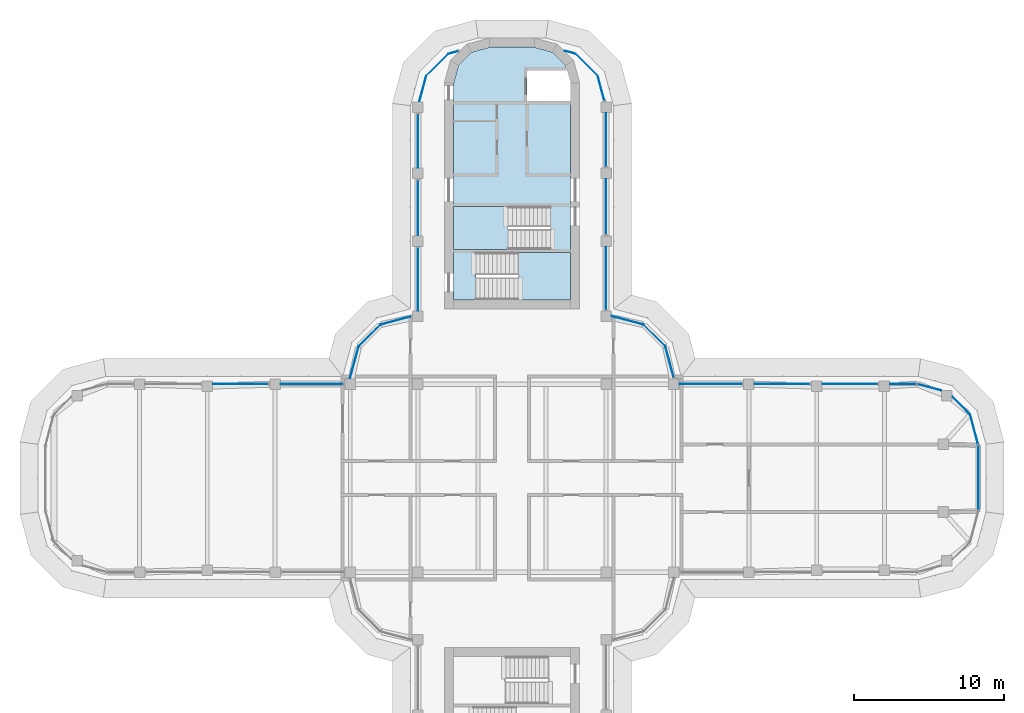
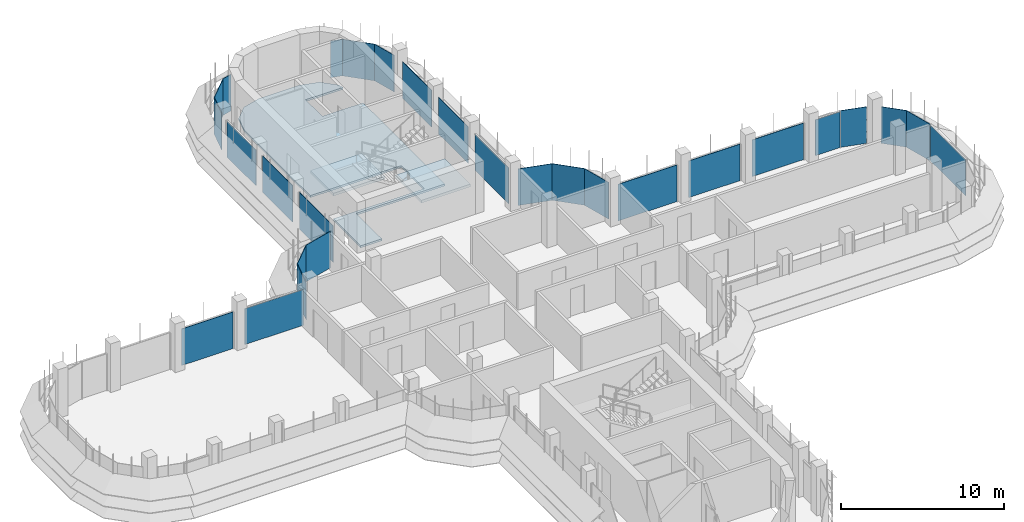
# One storey, part 12 of 19: 28 plates, 3 slabs, 22 elements without a shape of their own.
"""IFC4 building model written with IfcOpenShell, lengths in metres."""

import ifcopenshell
import ifcopenshell.guid

model = None  # the IFC model being written
_history = None  # IfcOwnerHistory: only IFC2X3 demands one
_inside = {}  # id of a spatial element -> (the spatial element, [elements in it])
_under = {}  # id of a project, library or spatial element -> (it, [spatial elements below it])
_declared = {}  # id of a project -> (the project, [libraries it declares])
_typed = {}  # id of a type object -> (the type object, [elements of that type])
_made_of = {}  # id of a material, layer set ... -> (it, [elements and type objects made of it])


def new_model(schema):
    """Start an empty IFC model of exactly this schema.

    Asked for "IFC4X3", IfcOpenShell would pick the latest addendum, in which some entities
    have other attributes; the version numbers below select the first issue.
    IFC2X3 requires an IfcOwnerHistory on every rooted entity: one is made here for all.
    """
    global model, _history
    if schema == "IFC4X3":
        model = ifcopenshell.file(schema_version=(4, 3, 0, 0))
    else:
        model = ifcopenshell.file(schema=schema)
    _inside.clear()
    _under.clear()
    _declared.clear()
    _typed.clear()
    _made_of.clear()
    _history = None
    if model.schema == "IFC2X3":
        org = make("IfcOrganization", Name="unknown")
        user = make(
            "IfcPersonAndOrganization",
            ThePerson=make("IfcPerson", FamilyName="unknown"),
            TheOrganization=org,
        )
        app = make(
            "IfcApplication",
            ApplicationDeveloper=org,
            Version="unknown",
            ApplicationFullName="unknown",
            ApplicationIdentifier="unknown",
        )
        _history = make(
            "IfcOwnerHistory",
            OwningUser=user,
            OwningApplication=app,
            ChangeAction="ADDED",
            CreationDate=0,
        )
    return model


def make(cls, **values):
    """One entity of the class cls with the attributes given. An attribute that is None is left unset."""
    return model.create_entity(
        cls, **{name: value for name, value in values.items() if value is not None}
    )


def rooted(cls, **values):
    """An entity with a GlobalId (a new one), such as an element, a storey or a relation."""
    return make(cls, GlobalId=ifcopenshell.guid.new(), OwnerHistory=_history, **values)


def si_unit(unit_type, name, prefix=None):
    """IfcSIUnit, for example si_unit("LENGTHUNIT", "METRE", prefix="MILLI")."""
    return make("IfcSIUnit", UnitType=unit_type, Prefix=prefix, Name=name)


def assignment(units):
    """IfcUnitAssignment: the units of a project."""
    return None if units is None else make("IfcUnitAssignment", Units=units)


def point(xyz):
    """IfcCartesianPoint."""
    return None if xyz is None else make("IfcCartesianPoint", Coordinates=xyz)


def direction(xyz):
    """IfcDirection."""
    return None if xyz is None else make("IfcDirection", DirectionRatios=xyz)


def frame(location, z_axis=None, x_axis=None):
    """IfcAxis2Placement3D, a coordinate frame: its origin and axes. An axis left out is left unset."""
    return make(
        "IfcAxis2Placement3D",
        Location=point(location),
        Axis=direction(z_axis),
        RefDirection=direction(x_axis),
    )


def origin():
    """The frame at (0, 0, 0) with its axes left unset."""
    return frame((0.0, 0.0, 0.0))


def place(relative_to, where):
    """IfcLocalPlacement: puts the frame where relative to a parent placement (None: the world)."""
    return make(
        "IfcLocalPlacement", PlacementRelTo=relative_to, RelativePlacement=where
    )


def context(
    kind, dimensions, precision=None, world=None, true_north=None, identifier=None
):
    """IfcGeometricRepresentationContext, for example the 3D "Model" context."""
    return make(
        "IfcGeometricRepresentationContext",
        ContextIdentifier=identifier,
        ContextType=kind,
        CoordinateSpaceDimension=dimensions,
        Precision=precision,
        WorldCoordinateSystem=world,
        TrueNorth=true_north,
    )


def subcontext(parent, identifier, kind, view, scale=None):
    """IfcGeometricRepresentationSubContext, for example "Body" below "Model"."""
    return make(
        "IfcGeometricRepresentationSubContext",
        ContextIdentifier=identifier,
        ContextType=kind,
        ParentContext=parent,
        TargetScale=scale,
        TargetView=view,
    )


def project(units=None, contexts=None):
    """IfcProject with its units and contexts."""
    return rooted(
        "IfcProject",
        Name="project",
        RepresentationContexts=contexts,
        UnitsInContext=assignment(units),
    )


def spatial(cls, under=None, at=None, **own):
    """A site, building, storey or space (cls), placed at a placement, below another one or the project."""
    s = rooted(cls, ObjectPlacement=at, **own)
    if under is not None:
        _under.setdefault(under.id(), (under, []))[1].append(s)
    return s


def polyline(points):
    """IfcPolyline through the points."""
    return make("IfcPolyline", Points=[point(p) for p in points])


def outline(outer, holes=None, kind="AREA"):
    """IfcArbitraryClosedProfileDef: a profile drawn as a closed curve; with holes, ...WithVoids."""
    if holes is None:
        return make("IfcArbitraryClosedProfileDef", ProfileType=kind, OuterCurve=outer)
    return make(
        "IfcArbitraryProfileDefWithVoids",
        ProfileType=kind,
        OuterCurve=outer,
        InnerCurves=holes,
    )


def extrude(swept, where, along, depth):
    """IfcExtrudedAreaSolid: the profile swept, set in the frame where, extruded along a direction by depth."""
    return make(
        "IfcExtrudedAreaSolid",
        SweptArea=swept,
        Position=where,
        ExtrudedDirection=direction(along),
        Depth=depth,
    )


def shape(context_of_items, identifier, shape_type, items):
    """IfcShapeRepresentation: the items that make up one representation, for example the "Body"."""
    return make(
        "IfcShapeRepresentation",
        ContextOfItems=context_of_items,
        RepresentationIdentifier=identifier,
        RepresentationType=shape_type,
        Items=items,
    )


def source(mapping_origin, context_of_items, identifier, shape_type, items):
    """IfcRepresentationMap: a shape defined once, which mapped items show again and again."""
    return make(
        "IfcRepresentationMap",
        MappingOrigin=mapping_origin,
        MappedRepresentation=shape(context_of_items, identifier, shape_type, items),
    )


def transform(
    local_origin,
    x_axis=None,
    y_axis=None,
    z_axis=None,
    scale=None,
    scale2=None,
    scale3=None,
    uniform=True,
):
    """IfcCartesianTransformationOperator3D, or its non-uniform kind. x_axis, y_axis, z_axis: its Axis1, 2, 3."""
    if uniform:
        return make(
            "IfcCartesianTransformationOperator3D",
            Axis1=direction(x_axis),
            Axis2=direction(y_axis),
            LocalOrigin=point(local_origin),
            Scale=scale,
            Axis3=direction(z_axis),
        )
    return make(
        "IfcCartesianTransformationOperator3DnonUniform",
        Axis1=direction(x_axis),
        Axis2=direction(y_axis),
        LocalOrigin=point(local_origin),
        Scale=scale,
        Axis3=direction(z_axis),
        Scale2=scale2,
        Scale3=scale3,
    )


def mapped(mapping_source, mapping_target):
    """IfcMappedItem: shows the shape of a source again, moved by a transform."""
    return make(
        "IfcMappedItem", MappingSource=mapping_source, MappingTarget=mapping_target
    )


def material(Name=None, Category=None):
    """IfcMaterial."""
    return make("IfcMaterial", Name=Name, Category=Category)


def layer(
    of_material, thickness, ventilated=None, Name=None, Category=None, Priority=None
):
    """IfcMaterialLayer: one layer of a wall or slab, of a material (None: an air gap)."""
    return make(
        "IfcMaterialLayer",
        Material=of_material,
        LayerThickness=thickness,
        IsVentilated=ventilated,
        Name=Name,
        Category=Category,
        Priority=Priority,
    )


def layer_set(layers, Name=None):
    """IfcMaterialLayerSet."""
    return make("IfcMaterialLayerSet", MaterialLayers=layers, LayerSetName=Name)


def made_of(thing, what):
    """Note that an element or type object is made of a material, layer set ...; save() writes the relation."""
    if what is not None:
        _made_of.setdefault(what.id(), (what, []))[1].append(thing)
    return thing


def type_object(cls, material=None, **own):
    """A type object (cls), such as IfcWallType, which elements share."""
    return made_of(rooted(cls, **own), material)


def element(
    cls,
    number,
    at=None,
    inside=None,
    cuts=None,
    type_object=None,
    material=None,
    context=None,
    identifier="Body",
    shape_type=None,
    held_by="IfcProductDefinitionShape",
    body=None,
    shapes=None,
    **own,
):
    """One element of the class cls, such as IfcWall. Its Tag is "e" and its number.

    at: its placement. inside: the storey or other place that contains it. cuts: it is an
    opening in that element (IfcRelVoidsElement). A single representation is given by context,
    identifier, shape_type and body (its items); several are given by shapes. held_by: the class
    of the entity that holds the representations. save() writes the other relations.
    """
    e = rooted(cls, Tag="e%d" % number, ObjectPlacement=at, **own)
    if body is not None:
        shapes = [shape(context, identifier, shape_type, body)]
    if shapes is not None:
        e.Representation = make(held_by, Representations=shapes)
    if inside is not None:
        _inside.setdefault(inside.id(), (inside, []))[1].append(e)
    if cuts is not None:
        rooted(
            "IfcRelVoidsElement", RelatingBuildingElement=cuts, RelatedOpeningElement=e
        )
    if type_object is not None:
        _typed.setdefault(type_object.id(), (type_object, []))[1].append(e)
    return made_of(e, material)


def aggregate(whole, parts):
    """IfcRelAggregates: a whole, such as a stair, and the parts it consists of."""
    return rooted("IfcRelAggregates", RelatingObject=whole, RelatedObjects=parts)


def save(model, path):
    """Write the relations noted so far, then the file.

    IfcRelAggregates (storeys below a building ...), IfcRelContainedInSpatialStructure (elements
    in a storey), IfcRelDefinesByType, IfcRelAssociatesMaterial and IfcRelDeclares: one each for
    every whole, place, type object, material and project.
    """
    for whole, parts in _under.values():
        aggregate(whole, parts)
    for where, things in _inside.values():
        rooted(
            "IfcRelContainedInSpatialStructure",
            RelatedElements=things,
            RelatingStructure=where,
        )
    for kind, things in _typed.values():
        rooted("IfcRelDefinesByType", RelatedObjects=things, RelatingType=kind)
    for what, things in _made_of.values():
        rooted("IfcRelAssociatesMaterial", RelatedObjects=things, RelatingMaterial=what)
    for by, libraries in _declared.values():
        rooted("IfcRelDeclares", RelatingContext=by, RelatedDefinitions=libraries)
    model.write(path)


model = new_model("IFC4")

# Units and contexts
model_context = context("Model", 3, precision=1e-05, world=origin(), true_north=direction((0.0, 1.0)))
body_context = subcontext(model_context, "Body", "Model", "MODEL_VIEW")
ifc_project = project(units=[si_unit("LENGTHUNIT", "METRE"), si_unit("AREAUNIT", "SQUARE_METRE"), si_unit("VOLUMEUNIT", "CUBIC_METRE"), si_unit("PLANEANGLEUNIT", "RADIAN"), si_unit("MASSUNIT", "GRAM", prefix="KILO")], contexts=[model_context])

# Site, building, storey
site_placement = place(None, origin())
site = spatial("IfcSite", under=ifc_project, at=site_placement, CompositionType="ELEMENT")
building_placement = place(site_placement, origin())
building = spatial("IfcBuilding", under=site, at=building_placement, Name="Zarbagh Exchange Tower", CompositionType="ELEMENT")
storey_placement = place(building_placement, frame((0.0, 0.0, 241.0)))
storey = spatial("IfcBuildingStorey", under=building, at=storey_placement, Name="L59", CompositionType="ELEMENT", Elevation=241.0)

# Slab
ifc_material_1 = material(Name="Concrete C40/50", Category="concrete")
ifc_layer_1 = layer(ifc_material_1, 0.14990234375)
ifc_layer_set_1 = layer_set([ifc_layer_1], Name="Core floor slab 150 C40/50")
slab_type_1 = type_object("IfcSlabType", Name="Core floor slab 150 C40/50", PredefinedType="FLOOR", material=ifc_layer_set_1)
slab_1_placement = place(storey_placement, frame((0.0, 0.0, -0.14990234375)))
element("IfcSlab", 1, at=slab_1_placement, inside=storey, type_object=slab_type_1, Name="S17 core N", PredefinedType="FLOOR", context=body_context, shape_type="SweptSolid", body=[
    extrude(outline(polyline([(-3.89990234375, 11.85009765625), (-3.89990234375, 15.199951171875), (2.550048828125, 15.199951171875), (2.550048828125, 18.050048828125), (-3.89990234375, 18.050048828125), (-3.89990234375, 26.1708984375), (-3.56005859375, 27.439453125), (-2.689453125, 28.31005859375), (-1.4208984375, 28.64990234375), (1.4208984375, 28.64990234375), (2.689453125, 28.31005859375), (3.56005859375, 27.439453125), (3.651123046875, 27.10009765625), (1.0, 27.10009765625), (1.0, 25.050048828125), (3.89990234375, 25.050048828125), (3.89990234375, 15.0), (-2.39990234375, 15.0), (-2.39990234375, 11.85009765625), (-3.89990234375, 11.85009765625)])), origin(), (0.0, 0.0, 1.0), 0.14990234375),
])

# Stair, slab
stair_type = type_object("IfcStairType", Name="Exit stair two-flight half-turn", PredefinedType="HALF_TURN_STAIR", material=ifc_material_1)
stair_1_placement = place(storey_placement, origin())
stair_1 = element("IfcStair", 2, at=stair_1_placement, inside=storey, type_object=stair_type, Name="exit stair ST1", PredefinedType="HALF_TURN_STAIR")
ifc_layer_2 = layer(ifc_material_1, 0.199951171875)
ifc_layer_set_2 = layer_set([ifc_layer_2], Name="Stair landing 200 mm")
slab_type_2 = type_object("IfcSlabType", Name="Stair landing 200 mm", PredefinedType="LANDING", material=ifc_layer_set_2)
slab_2_placement = place(storey_placement, frame((0.0, 0.0, 1.699951171875)))
slab_2 = element("IfcSlab", 3, at=slab_2_placement, type_object=slab_type_2, Name="ST1 landing 1", PredefinedType="LANDING", context=body_context, shape_type="SweptSolid", body=[
    extrude(outline(polyline([(-0.25, 18.050048828125), (-3.89990234375, 18.050048828125), (-3.89990234375, 15.199951171875), (-0.25, 15.199951171875), (-0.25, 18.050048828125)])), origin(), (0.0, 0.0, 1.0), 0.199951171875),
])
aggregate(stair_1, [slab_2])

stair_2_placement = place(storey_placement, origin())
stair_2 = element("IfcStair", 4, at=stair_2_placement, inside=storey, type_object=stair_type, Name="exit stair ST2", PredefinedType="HALF_TURN_STAIR")
slab_3_placement = place(storey_placement, frame((0.0, 0.0, 1.699951171875)))
slab_3 = element("IfcSlab", 5, at=slab_3_placement, type_object=slab_type_2, Name="ST2 landing 1", PredefinedType="LANDING", context=body_context, shape_type="SweptSolid", body=[
    extrude(outline(polyline([(0.39990234375, 11.85009765625), (3.89990234375, 11.85009765625), (3.89990234375, 15.0), (0.39990234375, 15.0), (0.39990234375, 11.85009765625)])), origin(), (0.0, 0.0, 1.0), 0.199951171875),
])
aggregate(stair_2, [slab_3])

# Curtain wall, plate
ifc_material_2 = material(Name="Anodised aluminium frame and glazing", Category="aluminium")
curtain_wall_type = type_object("IfcCurtainWallType", Name="CWB Ribbon glazing, upper zones", PredefinedType="NOTDEFINED", material=ifc_material_2)
curtain_wall_1_placement = place(storey_placement, origin())
curtain_wall_1 = element("IfcCurtainWall", 6, at=curtain_wall_1_placement, inside=storey, type_object=curtain_wall_type, Name="CWB18 curtain wall", PredefinedType="NOTDEFINED")
ifc_material_3 = material(Name="Low-e double glazed unit, 6+12+6 mm")
ifc_layer_3 = layer(ifc_material_3, 0.031982421875)
ifc_layer_set_3 = layer_set([ifc_layer_3], Name="PAB Glazing panel, Low-e double glazed unit, 6+12+6 mm")
plate_type = type_object("IfcPlateType", Name="PAB Glazing panel, Low-e double glazed unit, 6+12+6 mm", PredefinedType="CURTAIN_PANEL", material=ifc_layer_set_3)
shared_shape_1 = source(origin(), body_context, "Body", "SweptSolid", [
    extrude(outline(polyline([(0.0, -0.01611328125), (2.061279296875, -0.01611328125), (2.061279296875, 0.01611328125), (0.0, 0.01611328125), (0.0, -0.01611328125)])), origin(), (0.0, 0.0, 1.0), 2.75),
])
placement = place(storey_placement, origin())
plate_1 = element("IfcPlate", 7, at=placement, type_object=plate_type, Name="CWB18 glazing panel 1.1", PredefinedType="CURTAIN_PANEL", context=body_context, shape_type="MappedRepresentation", body=[
    mapped(shared_shape_1, transform((10.19873046875, 8.7412109375, 0.0), x_axis=(-0.707106781187, 0.707106781187, 0.0), y_axis=(-0.707106781187, -0.707106781187, 0.0), z_axis=(0.0, 0.0, 1.0))),
])
aggregate(curtain_wall_1, [plate_1])

curtain_wall_2_placement = place(storey_placement, origin())
curtain_wall_2 = element("IfcCurtainWall", 8, at=curtain_wall_2_placement, inside=storey, type_object=curtain_wall_type, Name="CWB74 curtain wall", PredefinedType="NOTDEFINED")
plate_2 = element("IfcPlate", 9, at=placement, type_object=plate_type, Name="CWB74 glazing panel 1.1", PredefinedType="CURTAIN_PANEL", context=body_context, shape_type="MappedRepresentation", body=[
    mapped(shared_shape_1, transform((5.69873046875, 26.7412109375, 0.0), x_axis=(-0.707106781187, 0.707106781187, 0.0), y_axis=(-0.707106781187, -0.707106781187, 0.0), z_axis=(0.0, 0.0, 1.0))),
])
aggregate(curtain_wall_2, [plate_2])

curtain_wall_3_placement = place(storey_placement, origin())
curtain_wall_3 = element("IfcCurtainWall", 10, at=curtain_wall_3_placement, inside=storey, type_object=curtain_wall_type, Name="CWB71 curtain wall", PredefinedType="NOTDEFINED")
plate_3 = element("IfcPlate", 11, at=placement, type_object=plate_type, Name="CWB71 glazing panel 1.1", PredefinedType="CURTAIN_PANEL", context=body_context, shape_type="MappedRepresentation", body=[
    mapped(shared_shape_1, transform((-4.2412109375, 28.19873046875, 0.0), x_axis=(-0.707106781187, -0.707106781187, 0.0), y_axis=(0.707106781187, -0.707106781187, 0.0), z_axis=(0.0, 0.0, 1.0))),
])
aggregate(curtain_wall_3, [plate_3])

curtain_wall_4_placement = place(storey_placement, origin())
curtain_wall_4 = element("IfcCurtainWall", 12, at=curtain_wall_4_placement, inside=storey, type_object=curtain_wall_type, Name="CWB30 curtain wall", PredefinedType="NOTDEFINED")
plate_4 = element("IfcPlate", 13, at=placement, type_object=plate_type, Name="CWB30 glazing panel 1.1", PredefinedType="CURTAIN_PANEL", context=body_context, shape_type="MappedRepresentation", body=[
    mapped(shared_shape_1, transform((-8.7412109375, 10.19873046875, 0.0), x_axis=(-0.707106781187, -0.707106781187, 0.0), y_axis=(0.707106781187, -0.707106781187, 0.0), z_axis=(0.0, 0.0, 1.0))),
])
aggregate(curtain_wall_4, [plate_4])

curtain_wall_5_placement = place(storey_placement, origin())
curtain_wall_5 = element("IfcCurtainWall", 14, at=curtain_wall_5_placement, inside=storey, type_object=curtain_wall_type, Name="CWB67 curtain wall", PredefinedType="NOTDEFINED")
shared_shape_2 = source(origin(), body_context, "Body", "SweptSolid", [
    extrude(outline(polyline([(0.0, -0.01611328125), (3.56005859375, -0.01611328125), (3.56005859375, 0.01611328125), (0.0, 0.01611328125), (0.0, -0.01611328125)])), origin(), (0.0, 0.0, 1.0), 2.75),
])
plate_5 = element("IfcPlate", 15, at=placement, type_object=plate_type, Name="CWB67 glazing panel 3.1", PredefinedType="CURTAIN_PANEL", context=body_context, shape_type="MappedRepresentation", body=[
    mapped(shared_shape_2, transform((6.25, 20.699951171875, 0.0), x_axis=(0.0, 1.0, 0.0), y_axis=(-1.0, 0.0, 0.0), z_axis=(0.0, 0.0, 1.0))),
])

curtain_wall_6_placement = place(storey_placement, origin())
curtain_wall_6 = element("IfcCurtainWall", 16, at=curtain_wall_6_placement, inside=storey, type_object=curtain_wall_type, Name="CWB12 curtain wall", PredefinedType="NOTDEFINED")
shared_shape_3 = source(origin(), body_context, "Body", "SweptSolid", [
    extrude(outline(polyline([(0.0, -0.01611328125), (4.308349609375, -0.01611328125), (4.308349609375, 0.01611328125), (0.0, 0.01611328125), (0.0, -0.01611328125)])), origin(), (0.0, 0.0, 1.0), 2.68994140625),
])
plate_6 = element("IfcPlate", 17, at=placement, type_object=plate_type, Name="CWB12 glazing panel 1.1", PredefinedType="CURTAIN_PANEL", context=body_context, shape_type="MappedRepresentation", body=[
    mapped(shared_shape_3, transform((31.0, -2.124267578125, 0.0), x_axis=(0.0, 1.0, 0.0), y_axis=(-1.0, 0.0, 0.0), z_axis=(0.0, 0.0, 1.0))),
])
aggregate(curtain_wall_6, [plate_6])

curtain_wall_7_placement = place(storey_placement, origin())
curtain_wall_7 = element("IfcCurtainWall", 18, at=curtain_wall_7_placement, inside=storey, type_object=curtain_wall_type, Name="CWB13 curtain wall", PredefinedType="NOTDEFINED")
shared_shape_4 = source(origin(), body_context, "Body", "SweptSolid", [
    extrude(outline(polyline([(0.0, -0.01611328125), (2.069580078125, -0.01611328125), (2.069580078125, 0.01611328125), (0.0, 0.01611328125), (0.0, -0.01611328125)])), origin(), (0.0, 0.0, 1.0), 2.75),
])
plate_7 = element("IfcPlate", 19, at=placement, type_object=plate_type, Name="CWB13 glazing panel 1.1", PredefinedType="CURTAIN_PANEL", context=body_context, shape_type="MappedRepresentation", body=[
    mapped(shared_shape_4, transform((30.984375, 2.2421875, 0.0), x_axis=(-0.258824779902, 0.965924289636, 0.0), y_axis=(-0.965924289636, -0.258824779902, 0.0), z_axis=(0.0, 0.0, 1.0))),
])
aggregate(curtain_wall_7, [plate_7])

curtain_wall_8_placement = place(storey_placement, origin())
curtain_wall_8 = element("IfcCurtainWall", 20, at=curtain_wall_8_placement, inside=storey, type_object=curtain_wall_type, Name="CWB73 curtain wall", PredefinedType="NOTDEFINED")
shared_shape_5 = source(origin(), body_context, "Body", "SweptSolid", [
    extrude(outline(polyline([(0.0, -0.01611328125), (3.56005859375, -0.01611328125), (3.56005859375, 0.01611328125), (0.0, 0.01611328125), (0.0, -0.01611328125)])), origin(), (0.0, 0.0, 1.0), 2.68994140625),
])
plate_8 = element("IfcPlate", 21, at=placement, type_object=plate_type, Name="CWB73 glazing panel 1.1", PredefinedType="CURTAIN_PANEL", context=body_context, shape_type="MappedRepresentation", body=[
    mapped(shared_shape_5, transform((-6.25, 24.199951171875, 0.0), x_axis=(0.0, -1.0, 0.0), y_axis=(1.0, 0.0, 0.0), z_axis=(0.0, 0.0, 1.0))),
])

curtain_wall_9_placement = place(storey_placement, origin())
curtain_wall_9 = element("IfcCurtainWall", 22, at=curtain_wall_9_placement, inside=storey, type_object=curtain_wall_type, Name="CWB72 curtain wall", PredefinedType="NOTDEFINED")
shared_shape_6 = source(origin(), body_context, "Body", "SweptSolid", [
    extrude(outline(polyline([(0.0, -0.01611328125), (1.76123046875, -0.01611328125), (1.76123046875, 0.01611328125), (0.0, 0.01611328125), (0.0, -0.01611328125)])), origin(), (0.0, 0.0, 1.0), 2.75),
])
plate_9 = element("IfcPlate", 23, at=placement, type_object=plate_type, Name="CWB72 glazing panel 1.1", PredefinedType="CURTAIN_PANEL", context=body_context, shape_type="MappedRepresentation", body=[
    mapped(shared_shape_6, transform((-5.69873046875, 26.7412109375, 0.0), x_axis=(-0.258824779902, -0.965924289636, 0.0), y_axis=(0.965924289636, -0.258824779902, 0.0), z_axis=(0.0, 0.0, 1.0))),
])
aggregate(curtain_wall_9, [plate_9])

# Curtain wall, plates
curtain_wall_10_placement = place(storey_placement, origin())
curtain_wall_10 = element("IfcCurtainWall", 24, at=curtain_wall_10_placement, inside=storey, type_object=curtain_wall_type, Name="CWB16 curtain wall", PredefinedType="NOTDEFINED")
shared_shape_7 = source(origin(), body_context, "Body", "SweptSolid", [
    extrude(outline(polyline([(0.0, -0.01611328125), (3.659912109375, -0.01611328125), (3.659912109375, 0.01611328125), (0.0, 0.01611328125), (0.0, -0.01611328125)])), origin(), (0.0, 0.0, 1.0), 2.75),
])
plate_10 = element("IfcPlate", 25, at=placement, type_object=plate_type, Name="CWB16 glazing panel 2.1", PredefinedType="CURTAIN_PANEL", context=body_context, shape_type="MappedRepresentation", body=[
    mapped(shared_shape_7, transform((24.300048828125, 6.25, 0.0), x_axis=(-1.0, 0.0, 0.0), y_axis=(0.0, -1.0, 0.0), z_axis=(0.0, 0.0, 1.0))),
])
plate_11 = element("IfcPlate", 26, at=placement, type_object=plate_type, Name="CWB16 glazing panel 3.1", PredefinedType="CURTAIN_PANEL", context=body_context, shape_type="MappedRepresentation", body=[
    mapped(shared_shape_7, transform((19.800048828125, 6.25, 0.0), x_axis=(-1.0, 0.0, 0.0), y_axis=(0.0, -1.0, 0.0), z_axis=(0.0, 0.0, 1.0))),
])

# Plate
plate_12 = element("IfcPlate", 27, at=placement, type_object=plate_type, Name="CWB67 glazing panel 2.1", PredefinedType="CURTAIN_PANEL", context=body_context, shape_type="MappedRepresentation", body=[
    mapped(shared_shape_7, transform((6.25, 16.199951171875, 0.0), x_axis=(0.0, 1.0, 0.0), y_axis=(-1.0, 0.0, 0.0), z_axis=(0.0, 0.0, 1.0))),
])

plate_13 = element("IfcPlate", 28, at=placement, type_object=plate_type, Name="CWB73 glazing panel 2.1", PredefinedType="CURTAIN_PANEL", context=body_context, shape_type="MappedRepresentation", body=[
    mapped(shared_shape_7, transform((-6.25, 19.800048828125, 0.0), x_axis=(0.0, -1.0, 0.0), y_axis=(1.0, 0.0, 0.0), z_axis=(0.0, 0.0, 1.0))),
])

# Curtain wall, plate
curtain_wall_11_placement = place(storey_placement, origin())
curtain_wall_11 = element("IfcCurtainWall", 29, at=curtain_wall_11_placement, inside=storey, type_object=curtain_wall_type, Name="CWB58 curtain wall", PredefinedType="NOTDEFINED")
plate_14 = element("IfcPlate", 30, at=placement, type_object=plate_type, Name="CWB58 glazing panel 2.1", PredefinedType="CURTAIN_PANEL", context=body_context, shape_type="MappedRepresentation", body=[
    mapped(shared_shape_7, transform((-16.199951171875, 6.25, 0.0), x_axis=(-1.0, 0.0, 0.0), y_axis=(0.0, -1.0, 0.0), z_axis=(0.0, 0.0, 1.0))),
])

# Plate
shared_shape_8 = source(origin(), body_context, "Body", "SweptSolid", [
    extrude(outline(polyline([(0.0, -0.01611328125), (4.159912109375, -0.01611328125), (4.159912109375, 0.01611328125), (0.0, 0.01611328125), (0.0, -0.01611328125)])), origin(), (0.0, 0.0, 1.0), 2.75),
])
plate_15 = element("IfcPlate", 31, at=placement, type_object=plate_type, Name="CWB16 glazing panel 4.1", PredefinedType="CURTAIN_PANEL", context=body_context, shape_type="MappedRepresentation", body=[
    mapped(shared_shape_8, transform((15.300048828125, 6.25, 0.0), x_axis=(-1.0, 0.0, 0.0), y_axis=(0.0, -1.0, 0.0), z_axis=(0.0, 0.0, 1.0))),
])

plate_16 = element("IfcPlate", 32, at=placement, type_object=plate_type, Name="CWB73 glazing panel 3.1", PredefinedType="CURTAIN_PANEL", context=body_context, shape_type="MappedRepresentation", body=[
    mapped(shared_shape_8, transform((-6.25, 15.300048828125, 0.0), x_axis=(0.0, -1.0, 0.0), y_axis=(1.0, 0.0, 0.0), z_axis=(0.0, 0.0, 1.0))),
])

aggregate(curtain_wall_8, [plate_8, plate_13, plate_16])

# Curtain wall, plate
curtain_wall_12_placement = place(storey_placement, origin())
curtain_wall_12 = element("IfcCurtainWall", 33, at=curtain_wall_12_placement, inside=storey, type_object=curtain_wall_type, Name="CWB17 curtain wall", PredefinedType="NOTDEFINED")
shared_shape_9 = source(origin(), body_context, "Body", "SweptSolid", [
    extrude(outline(polyline([(0.0, -0.01611328125), (2.115234375, -0.01611328125), (2.115234375, 0.01611328125), (0.0, 0.01611328125), (0.0, -0.01611328125)])), origin(), (0.0, 0.0, 1.0), 2.75),
])
plate_17 = element("IfcPlate", 34, at=placement, type_object=plate_type, Name="CWB17 glazing panel 1.1", PredefinedType="CURTAIN_PANEL", context=body_context, shape_type="MappedRepresentation", body=[
    mapped(shared_shape_9, transform((10.746337890625, 6.697998046875, 0.0), x_axis=(-0.258824779902, 0.965924289636, 0.0), y_axis=(-0.965924289636, -0.258824779902, 0.0), z_axis=(0.0, 0.0, 1.0))),
])
aggregate(curtain_wall_12, [plate_17])

curtain_wall_13_placement = place(storey_placement, origin())
curtain_wall_13 = element("IfcCurtainWall", 35, at=curtain_wall_13_placement, inside=storey, type_object=curtain_wall_type, Name="CWB29 curtain wall", PredefinedType="NOTDEFINED")
plate_18 = element("IfcPlate", 36, at=placement, type_object=plate_type, Name="CWB29 glazing panel 1.1", PredefinedType="CURTAIN_PANEL", context=body_context, shape_type="MappedRepresentation", body=[
    mapped(shared_shape_9, transform((-6.697998046875, 10.746337890625, 0.0), x_axis=(-0.965924289636, -0.258824779902, 0.0), y_axis=(0.258824779902, -0.965924289636, 0.0), z_axis=(0.0, 0.0, 1.0))),
])
aggregate(curtain_wall_13, [plate_18])

curtain_wall_14_placement = place(storey_placement, origin())
curtain_wall_14 = element("IfcCurtainWall", 37, at=curtain_wall_14_placement, inside=storey, type_object=curtain_wall_type, Name="CWB19 curtain wall", PredefinedType="NOTDEFINED")
shared_shape_10 = source(origin(), body_context, "Body", "SweptSolid", [
    extrude(outline(polyline([(0.0, -0.01611328125), (2.17529296875, -0.01611328125), (2.17529296875, 0.01611328125), (0.0, 0.01611328125), (0.0, -0.01611328125)])), origin(), (0.0, 0.0, 1.0), 2.75),
])
plate_19 = element("IfcPlate", 38, at=placement, type_object=plate_type, Name="CWB19 glazing panel 1.1", PredefinedType="CURTAIN_PANEL", context=body_context, shape_type="MappedRepresentation", body=[
    mapped(shared_shape_10, transform((8.7412109375, 10.19873046875, 0.0), x_axis=(-0.965924289636, 0.258824779902, 0.0), y_axis=(-0.258824779902, -0.965924289636, 0.0), z_axis=(0.0, 0.0, 1.0))),
])
aggregate(curtain_wall_14, [plate_19])

curtain_wall_15_placement = place(storey_placement, origin())
curtain_wall_15 = element("IfcCurtainWall", 39, at=curtain_wall_15_placement, inside=storey, type_object=curtain_wall_type, Name="CWB31 curtain wall", PredefinedType="NOTDEFINED")
plate_20 = element("IfcPlate", 40, at=placement, type_object=plate_type, Name="CWB31 glazing panel 1.1", PredefinedType="CURTAIN_PANEL", context=body_context, shape_type="MappedRepresentation", body=[
    mapped(shared_shape_10, transform((-10.19873046875, 8.7412109375, 0.0), x_axis=(-0.258824779902, -0.965924289636, 0.0), y_axis=(0.965924289636, -0.258824779902, 0.0), z_axis=(0.0, 0.0, 1.0))),
])
aggregate(curtain_wall_15, [plate_20])

# Plate
shared_shape_11 = source(origin(), body_context, "Body", "SweptSolid", [
    extrude(outline(polyline([(0.0, -0.01611328125), (4.159912109375, -0.01611328125), (4.159912109375, 0.01611328125), (0.0, 0.01611328125), (0.0, -0.01611328125)])), origin(), (0.0, 0.0, 1.0), 2.68994140625),
])
plate_21 = element("IfcPlate", 41, at=placement, type_object=plate_type, Name="CWB67 glazing panel 1.1", PredefinedType="CURTAIN_PANEL", context=body_context, shape_type="MappedRepresentation", body=[
    mapped(shared_shape_11, transform((6.25, 11.199951171875, 0.0), x_axis=(0.0, 1.0, 0.0), y_axis=(-1.0, 0.0, 0.0), z_axis=(0.0, 0.0, 1.0))),
])

aggregate(curtain_wall_5, [plate_21, plate_12, plate_5])

plate_22 = element("IfcPlate", 42, at=placement, type_object=plate_type, Name="CWB58 glazing panel 1.1", PredefinedType="CURTAIN_PANEL", context=body_context, shape_type="MappedRepresentation", body=[
    mapped(shared_shape_11, transform((-11.199951171875, 6.25, 0.0), x_axis=(-1.0, 0.0, 0.0), y_axis=(0.0, -1.0, 0.0), z_axis=(0.0, 0.0, 1.0))),
])

aggregate(curtain_wall_11, [plate_22, plate_14])

# Curtain wall, plate
curtain_wall_16_placement = place(storey_placement, origin())
curtain_wall_16 = element("IfcCurtainWall", 43, at=curtain_wall_16_placement, inside=storey, type_object=curtain_wall_type, Name="CWB14 curtain wall", PredefinedType="NOTDEFINED")
shared_shape_12 = source(origin(), body_context, "Body", "SweptSolid", [
    extrude(outline(polyline([(0.0, -0.01611328125), (1.62744140625, -0.01611328125), (1.62744140625, 0.01611328125), (0.0, 0.01611328125), (0.0, -0.01611328125)])), origin(), (0.0, 0.0, 1.0), 2.75),
])
plate_23 = element("IfcPlate", 44, at=placement, type_object=plate_type, Name="CWB14 glazing panel 1.1", PredefinedType="CURTAIN_PANEL", context=body_context, shape_type="MappedRepresentation", body=[
    mapped(shared_shape_12, transform((30.44873046875, 4.2412109375, 0.0), x_axis=(-0.707106781187, 0.707106781187, 0.0), y_axis=(-0.707106781187, -0.707106781187, 0.0), z_axis=(0.0, 0.0, 1.0))),
])
aggregate(curtain_wall_16, [plate_23])

curtain_wall_17_placement = place(storey_placement, origin())
curtain_wall_17 = element("IfcCurtainWall", 45, at=curtain_wall_17_placement, inside=storey, type_object=curtain_wall_type, Name="CWB15 curtain wall", PredefinedType="NOTDEFINED")
shared_shape_13 = source(origin(), body_context, "Body", "SweptSolid", [
    extrude(outline(polyline([(0.0, -0.01611328125), (1.6396484375, -0.01611328125), (1.6396484375, 0.01611328125), (0.0, 0.01611328125), (0.0, -0.01611328125)])), origin(), (0.0, 0.0, 1.0), 2.75),
])
plate_24 = element("IfcPlate", 46, at=placement, type_object=plate_type, Name="CWB15 glazing panel 1.1", PredefinedType="CURTAIN_PANEL", context=body_context, shape_type="MappedRepresentation", body=[
    mapped(shared_shape_13, transform((28.51806640625, 5.82568359375, 0.0), x_axis=(-0.965924289636, 0.258824779902, 0.0), y_axis=(-0.258824779902, -0.965924289636, 0.0), z_axis=(0.0, 0.0, 1.0))),
])
aggregate(curtain_wall_17, [plate_24])

# Plate
shared_shape_14 = source(origin(), body_context, "Body", "SweptSolid", [
    extrude(outline(polyline([(0.0, -0.01611328125), (1.734130859375, -0.01611328125), (1.734130859375, 0.01611328125), (0.0, 0.01611328125), (0.0, -0.01611328125)])), origin(), (0.0, 0.0, 1.0), 2.68994140625),
])
plate_25 = element("IfcPlate", 47, at=placement, type_object=plate_type, Name="CWB16 glazing panel 1.1", PredefinedType="CURTAIN_PANEL", context=body_context, shape_type="MappedRepresentation", body=[
    mapped(shared_shape_14, transform((26.874267578125, 6.25, 0.0), x_axis=(-1.0, 0.0, 0.0), y_axis=(0.0, -1.0, 0.0), z_axis=(0.0, 0.0, 1.0))),
])

aggregate(curtain_wall_10, [plate_25, plate_10, plate_11, plate_15])

# Curtain wall, plate
curtain_wall_18_placement = place(storey_placement, origin())
curtain_wall_18 = element("IfcCurtainWall", 48, at=curtain_wall_18_placement, inside=storey, type_object=curtain_wall_type, Name="CWB68 curtain wall", PredefinedType="NOTDEFINED")
shared_shape_15 = source(origin(), body_context, "Body", "SweptSolid", [
    extrude(outline(polyline([(0.0, -0.01611328125), (1.701171875, -0.01611328125), (1.701171875, 0.01611328125), (0.0, 0.01611328125), (0.0, -0.01611328125)])), origin(), (0.0, 0.0, 1.0), 2.75),
])
plate_26 = element("IfcPlate", 49, at=placement, type_object=plate_type, Name="CWB68 glazing panel 1.1", PredefinedType="CURTAIN_PANEL", context=body_context, shape_type="MappedRepresentation", body=[
    mapped(shared_shape_15, transform((6.13916015625, 25.097900390625, 0.0), x_axis=(-0.258824779902, 0.965924289636, 0.0), y_axis=(-0.965924289636, -0.258824779902, 0.0), z_axis=(0.0, 0.0, 1.0))),
])
aggregate(curtain_wall_18, [plate_26])

curtain_wall_19_placement = place(storey_placement, origin())
curtain_wall_19 = element("IfcCurtainWall", 50, at=curtain_wall_19_placement, inside=storey, type_object=curtain_wall_type, Name="CWB69 curtain wall", PredefinedType="NOTDEFINED")
shared_shape_16 = source(origin(), body_context, "Body", "SweptSolid", [
    extrude(outline(polyline([(0.0, -0.01611328125), (0.757080078125, -0.01611328125), (0.757080078125, 0.01611328125), (0.0, 0.01611328125), (0.0, -0.01611328125)])), origin(), (0.0, 0.0, 1.0), 2.75),
])
plate_27 = element("IfcPlate", 51, at=placement, type_object=plate_type, Name="CWB69 glazing panel 1.1", PredefinedType="CURTAIN_PANEL", context=body_context, shape_type="MappedRepresentation", body=[
    mapped(shared_shape_16, transform((4.2412109375, 28.19873046875, 0.0), x_axis=(-0.965924289636, 0.258824779902, 0.0), y_axis=(-0.258824779902, -0.965924289636, 0.0), z_axis=(0.0, 0.0, 1.0))),
])
aggregate(curtain_wall_19, [plate_27])

curtain_wall_20_placement = place(storey_placement, origin())
curtain_wall_20 = element("IfcCurtainWall", 52, at=curtain_wall_20_placement, inside=storey, type_object=curtain_wall_type, Name="CWB70 curtain wall", PredefinedType="NOTDEFINED")
shared_shape_17 = source(origin(), body_context, "Body", "SweptSolid", [
    extrude(outline(polyline([(0.0, -0.01611328125), (0.697021484375, -0.01611328125), (0.697021484375, 0.01611328125), (0.0, 0.01611328125), (0.0, -0.01611328125)])), origin(), (0.0, 0.0, 1.0), 2.75),
])
plate_28 = element("IfcPlate", 53, at=placement, type_object=plate_type, Name="CWB70 glazing panel 1.1", PredefinedType="CURTAIN_PANEL", context=body_context, shape_type="MappedRepresentation", body=[
    mapped(shared_shape_17, transform((-3.56787109375, 28.379150390625, 0.0), x_axis=(-0.965924289636, -0.258824779902, 0.0), y_axis=(0.258824779902, -0.965924289636, 0.0), z_axis=(0.0, 0.0, 1.0))),
])
aggregate(curtain_wall_20, [plate_28])

save(model, "model.ifc")
